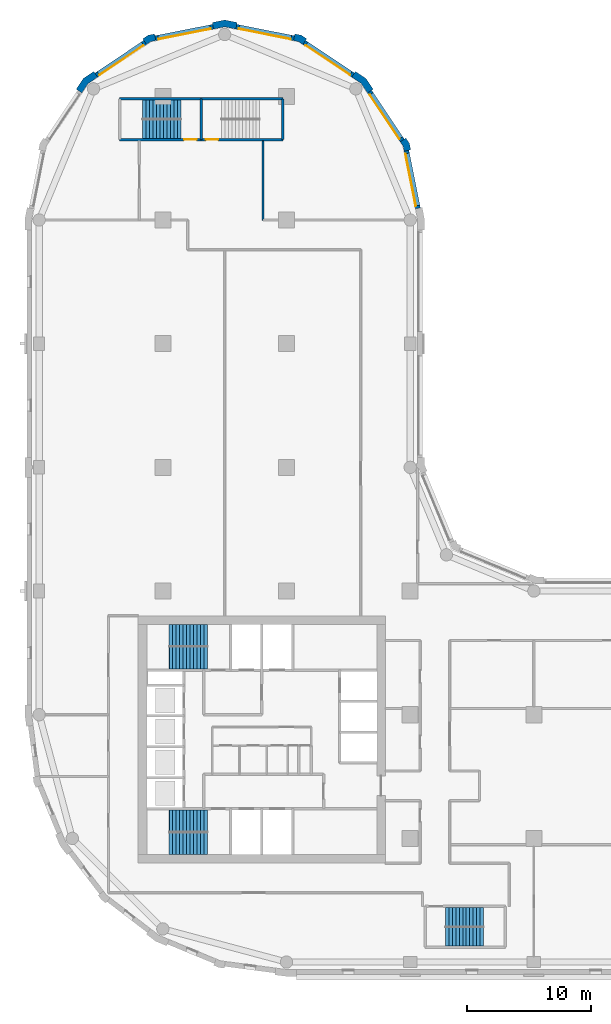
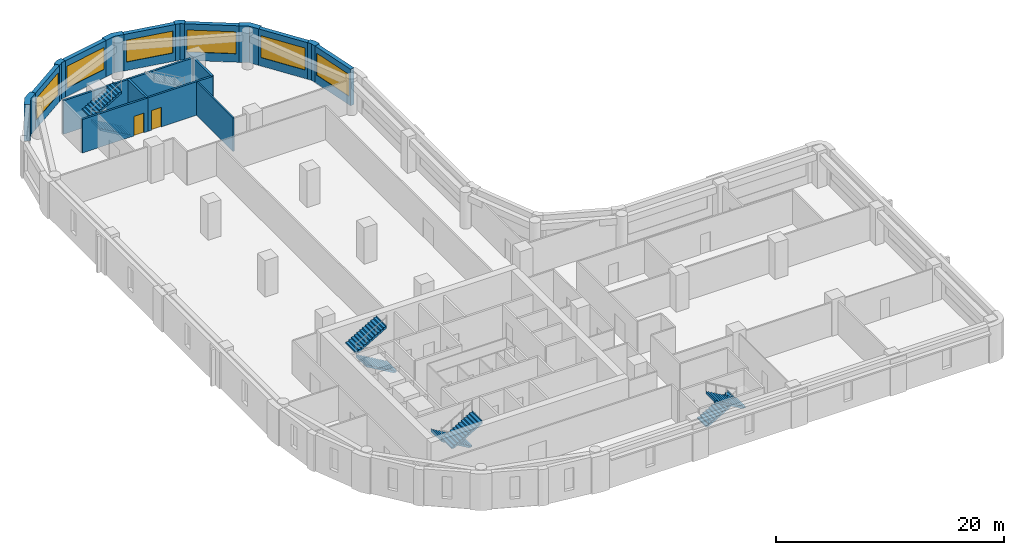
# One storey, part 6 of 9: 19 walls, 8 stair flights, 6 windows, 2 doors, 8 openings, 4 elements without a shape of their own.
"""IFC4 building model written with IfcOpenShell, lengths in metres."""

from ifc_helpers import new_model, si_unit, direction, frame, frame_2d, origin, place, context, subcontext, project, spatial, polyline, rectangle, outline, extrude, material, layer, layer_set, type_object, element, fill, aggregate, save


model = new_model("IFC4")

# Units and contexts
model_context = context("Model", 3, precision=1e-05, world=origin(), true_north=direction((0.0, 1.0)))
body_context = subcontext(model_context, "Body", "Model", "MODEL_VIEW")
ifc_project = project(units=[si_unit("LENGTHUNIT", "METRE"), si_unit("AREAUNIT", "SQUARE_METRE"), si_unit("VOLUMEUNIT", "CUBIC_METRE"), si_unit("PLANEANGLEUNIT", "RADIAN"), si_unit("MASSUNIT", "GRAM", prefix="KILO")], contexts=[model_context])

# Site, building, storey
site_placement = place(None, origin())
site = spatial("IfcSite", under=ifc_project, at=site_placement, CompositionType="ELEMENT")
building_placement = place(site_placement, origin())
building = spatial("IfcBuilding", under=site, at=building_placement, Name="Qaws Garden Tower", CompositionType="ELEMENT")
storey_placement = place(building_placement, frame((0.0, 0.0, 213.60009765625)))
storey = spatial("IfcBuildingStorey", under=building, at=storey_placement, Name="L52", CompositionType="ELEMENT", Elevation=213.60009765625)

# Wall, opening, window
ifc_material_1 = material(Name="Clay facing brick masonry", Category="masonry")
ifc_layer_1 = layer(ifc_material_1, 0.39990234375)
ifc_layer_set_1 = layer_set([ifc_layer_1], Name="Clay facing brick masonry")
wall_type_1 = type_object("IfcWallType", Name="Brick infill wall 400", PredefinedType="SOLIDWALL", material=ifc_layer_set_1)
wall_1_placement = place(storey_placement, frame((30.628662109375, 60.940673828125, 0.0), z_axis=(0.0, 0.0, 1.0), x_axis=(-0.195098533057, 0.98078364709, 0.0)))
wall_1 = element("IfcWall", 1, at=wall_1_placement, inside=storey, type_object=wall_type_1, Name="E-L52-infill-13", PredefinedType="SOLIDWALL", context=body_context, shape_type="SweptSolid", body=[
    extrude(rectangle(XDim=4.752685546875, YDim=0.39990234375, at=frame_2d((2.37646484375, 0.0))), origin(), (0.0, 0.0, 1.0), 3.89990234375),
])
opening_1_placement = place(wall_1_placement, frame((0.226318359375, 0.0, 0.89990234375)))
opening_1 = element("IfcOpeningElement", 2, at=opening_1_placement, cuts=wall_1, Name="Opening W06", PredefinedType="OPENING", context=body_context, shape_type="SweptSolid", body=[
    extrude(rectangle(XDim=4.300048828125, YDim=2.35009765625, at=frame_2d((2.14990234375, 1.175048828125))), frame((0.0, 0.2099609375, 0.0), z_axis=(0.0, -1.0, 0.0), x_axis=(1.0, 0.0, 0.0)), (0.0, 0.0, 1.0), 0.419921875),
])
ifc_material_2 = material(Name="Aluminium framed window, clear glazing", Category="aluminium")
window_type = type_object("IfcWindowType", Name="Ribbon window 4300 x 2350", PartitioningType="DOUBLE_PANEL_VERTICAL", PredefinedType="WINDOW", material=ifc_material_2)
window_1_placement = place(opening_1_placement, origin())
window_1 = element("IfcWindow", 3, at=window_1_placement, inside=storey, type_object=window_type, Name="E-L52-window-13-0", OverallHeight=2.35009765625, OverallWidth=4.300048828125, PartitioningType="SINGLE_PANEL", PredefinedType="WINDOW", context=body_context, shape_type="SweptSolid", body=[
    extrude(rectangle(XDim=4.300048828125, YDim=2.35009765625, at=frame_2d((2.14990234375, 1.175048828125))), frame((0.0, 0.159912109375, 0.0), z_axis=(0.0, -1.0, 0.0), x_axis=(1.0, 0.0, 0.0)), (0.0, 0.0, 1.0), 0.06005859375),
])
fill(opening_1, window_1)

wall_2_placement = place(storey_placement, frame((29.356689453125, 66.43408203125, 0.0), z_axis=(0.0, 0.0, 1.0), x_axis=(-0.555541552266, 0.831488775454, 0.0)))
wall_2 = element("IfcWall", 4, at=wall_2_placement, inside=storey, type_object=wall_type_1, Name="E-L52-infill-14", PredefinedType="SOLIDWALL", context=body_context, shape_type="SweptSolid", body=[
    extrude(rectangle(XDim=4.752685546875, YDim=0.39990234375, at=frame_2d((2.37646484375, 0.0))), origin(), (0.0, 0.0, 1.0), 3.89990234375),
])
opening_2_placement = place(wall_2_placement, frame((0.226318359375, 0.0, 0.89990234375)))
opening_2 = element("IfcOpeningElement", 5, at=opening_2_placement, cuts=wall_2, Name="Opening W06", PredefinedType="OPENING", context=body_context, shape_type="SweptSolid", body=[
    extrude(rectangle(XDim=4.300048828125, YDim=2.35009765625, at=frame_2d((2.14990234375, 1.175048828125))), frame((0.0, 0.2099609375, 0.0), z_axis=(0.0, -1.0, 0.0), x_axis=(1.0, 0.0, 0.0)), (0.0, 0.0, 1.0), 0.419921875),
])
window_2_placement = place(opening_2_placement, origin())
window_2 = element("IfcWindow", 6, at=window_2_placement, inside=storey, type_object=window_type, Name="E-L52-window-14-0", OverallHeight=2.35009765625, OverallWidth=4.300048828125, PartitioningType="SINGLE_PANEL", PredefinedType="WINDOW", context=body_context, shape_type="SweptSolid", body=[
    extrude(rectangle(XDim=4.300048828125, YDim=2.35009765625, at=frame_2d((2.14990234375, 1.175048828125))), frame((0.0, 0.159912109375, 0.0), z_axis=(0.0, -1.0, 0.0), x_axis=(1.0, 0.0, 0.0)), (0.0, 0.0, 1.0), 0.06005859375),
])
fill(opening_2, window_2)

wall_3_placement = place(storey_placement, frame((25.385986328125, 71.71630859375, 0.0), z_axis=(0.0, 0.0, 1.0), x_axis=(-0.831488775454, 0.555541552266, 0.0)))
wall_3 = element("IfcWall", 7, at=wall_3_placement, inside=storey, type_object=wall_type_1, Name="E-L52-infill-15", PredefinedType="SOLIDWALL", context=body_context, shape_type="SweptSolid", body=[
    extrude(rectangle(XDim=4.752685546875, YDim=0.39990234375, at=frame_2d((2.37646484375, 0.0))), origin(), (0.0, 0.0, 1.0), 3.89990234375),
])
opening_3_placement = place(wall_3_placement, frame((0.226318359375, 0.0, 0.89990234375)))
opening_3 = element("IfcOpeningElement", 8, at=opening_3_placement, cuts=wall_3, Name="Opening W06", PredefinedType="OPENING", context=body_context, shape_type="SweptSolid", body=[
    extrude(rectangle(XDim=4.300048828125, YDim=2.35009765625, at=frame_2d((2.14990234375, 1.175048828125))), frame((0.0, 0.2099609375, 0.0), z_axis=(0.0, -1.0, 0.0), x_axis=(1.0, 0.0, 0.0)), (0.0, 0.0, 1.0), 0.419921875),
])
window_3_placement = place(opening_3_placement, origin())
window_3 = element("IfcWindow", 9, at=window_3_placement, inside=storey, type_object=window_type, Name="E-L52-window-15-0", OverallHeight=2.35009765625, OverallWidth=4.300048828125, PartitioningType="SINGLE_PANEL", PredefinedType="WINDOW", context=body_context, shape_type="SweptSolid", body=[
    extrude(rectangle(XDim=4.300048828125, YDim=2.35009765625, at=frame_2d((2.14990234375, 1.175048828125))), frame((0.0, 0.159912109375, 0.0), z_axis=(0.0, -1.0, 0.0), x_axis=(1.0, 0.0, 0.0)), (0.0, 0.0, 1.0), 0.06005859375),
])
fill(opening_3, window_3)

wall_4_placement = place(storey_placement, frame((20.60205078125, 74.701416015625, 0.0), z_axis=(0.0, 0.0, 1.0), x_axis=(-0.98078364709, 0.195098533057, 0.0)))
wall_4 = element("IfcWall", 10, at=wall_4_placement, inside=storey, type_object=wall_type_1, Name="E-L52-infill-16", PredefinedType="SOLIDWALL", context=body_context, shape_type="SweptSolid", body=[
    extrude(rectangle(XDim=4.752685546875, YDim=0.39990234375, at=frame_2d((2.37646484375, 0.0))), origin(), (0.0, 0.0, 1.0), 3.89990234375),
])
opening_4_placement = place(wall_4_placement, frame((0.226318359375, 0.0, 0.89990234375)))
opening_4 = element("IfcOpeningElement", 11, at=opening_4_placement, cuts=wall_4, Name="Opening W06", PredefinedType="OPENING", context=body_context, shape_type="SweptSolid", body=[
    extrude(rectangle(XDim=4.300048828125, YDim=2.35009765625, at=frame_2d((2.14990234375, 1.175048828125))), frame((0.0, 0.2099609375, 0.0), z_axis=(0.0, -1.0, 0.0), x_axis=(1.0, 0.0, 0.0)), (0.0, 0.0, 1.0), 0.419921875),
])
window_4_placement = place(opening_4_placement, origin())
window_4 = element("IfcWindow", 12, at=window_4_placement, inside=storey, type_object=window_type, Name="E-L52-window-16-0", OverallHeight=2.35009765625, OverallWidth=4.300048828125, PartitioningType="SINGLE_PANEL", PredefinedType="WINDOW", context=body_context, shape_type="SweptSolid", body=[
    extrude(rectangle(XDim=4.300048828125, YDim=2.35009765625, at=frame_2d((2.14990234375, 1.175048828125))), frame((0.0, 0.159912109375, 0.0), z_axis=(0.0, -1.0, 0.0), x_axis=(1.0, 0.0, 0.0)), (0.0, 0.0, 1.0), 0.06005859375),
])
fill(opening_4, window_4)

wall_5_placement = place(storey_placement, frame((14.059326171875, 75.628662109375, 0.0), z_axis=(0.0, 0.0, 1.0), x_axis=(-0.98078364709, -0.195098533057, 0.0)))
wall_5 = element("IfcWall", 13, at=wall_5_placement, inside=storey, type_object=wall_type_1, Name="E-L52-infill-17", PredefinedType="SOLIDWALL", context=body_context, shape_type="SweptSolid", body=[
    extrude(rectangle(XDim=4.752685546875, YDim=0.39990234375, at=frame_2d((2.37646484375, 0.0))), origin(), (0.0, 0.0, 1.0), 3.89990234375),
])
opening_5_placement = place(wall_5_placement, frame((0.226318359375, 0.0, 0.89990234375)))
opening_5 = element("IfcOpeningElement", 14, at=opening_5_placement, cuts=wall_5, Name="Opening W06", PredefinedType="OPENING", context=body_context, shape_type="SweptSolid", body=[
    extrude(rectangle(XDim=4.300048828125, YDim=2.35009765625, at=frame_2d((2.14990234375, 1.175048828125))), frame((0.0, 0.2099609375, 0.0), z_axis=(0.0, -1.0, 0.0), x_axis=(1.0, 0.0, 0.0)), (0.0, 0.0, 1.0), 0.419921875),
])
window_5_placement = place(opening_5_placement, origin())
window_5 = element("IfcWindow", 15, at=window_5_placement, inside=storey, type_object=window_type, Name="E-L52-window-17-0", OverallHeight=2.35009765625, OverallWidth=4.300048828125, PartitioningType="SINGLE_PANEL", PredefinedType="WINDOW", context=body_context, shape_type="SweptSolid", body=[
    extrude(rectangle(XDim=4.300048828125, YDim=2.35009765625, at=frame_2d((2.14990234375, 1.175048828125))), frame((0.0, 0.159912109375, 0.0), z_axis=(0.0, -1.0, 0.0), x_axis=(1.0, 0.0, 0.0)), (0.0, 0.0, 1.0), 0.06005859375),
])
fill(opening_5, window_5)

wall_6_placement = place(storey_placement, frame((8.56591796875, 74.356689453125, 0.0), z_axis=(0.0, 0.0, 1.0), x_axis=(-0.831488775454, -0.555541552266, 0.0)))
wall_6 = element("IfcWall", 16, at=wall_6_placement, inside=storey, type_object=wall_type_1, Name="E-L52-infill-18", PredefinedType="SOLIDWALL", context=body_context, shape_type="SweptSolid", body=[
    extrude(rectangle(XDim=4.752685546875, YDim=0.39990234375, at=frame_2d((2.37646484375, 0.0))), origin(), (0.0, 0.0, 1.0), 3.89990234375),
])
opening_6_placement = place(wall_6_placement, frame((0.226318359375, 0.0, 0.89990234375)))
opening_6 = element("IfcOpeningElement", 17, at=opening_6_placement, cuts=wall_6, Name="Opening W06", PredefinedType="OPENING", context=body_context, shape_type="SweptSolid", body=[
    extrude(rectangle(XDim=4.300048828125, YDim=2.35009765625, at=frame_2d((2.14990234375, 1.175048828125))), frame((0.0, 0.2099609375, 0.0), z_axis=(0.0, -1.0, 0.0), x_axis=(1.0, 0.0, 0.0)), (0.0, 0.0, 1.0), 0.419921875),
])
window_6_placement = place(opening_6_placement, origin())
window_6 = element("IfcWindow", 18, at=window_6_placement, inside=storey, type_object=window_type, Name="E-L52-window-18-0", OverallHeight=2.35009765625, OverallWidth=4.300048828125, PartitioningType="SINGLE_PANEL", PredefinedType="WINDOW", context=body_context, shape_type="SweptSolid", body=[
    extrude(rectangle(XDim=4.300048828125, YDim=2.35009765625, at=frame_2d((2.14990234375, 1.175048828125))), frame((0.0, 0.159912109375, 0.0), z_axis=(0.0, -1.0, 0.0), x_axis=(1.0, 0.0, 0.0)), (0.0, 0.0, 1.0), 0.06005859375),
])
fill(opening_6, window_6)

# Walls
ifc_material_3 = material(Name="Clay facing brick masonry", Category="masonry")
ifc_layer_2 = layer(ifc_material_3, 0.550048828125)
ifc_layer_set_2 = layer_set([ifc_layer_2], Name="Clay facing brick masonry")
wall_type_2 = type_object("IfcWallType", Name="Brick kink pier 550 x 600", PredefinedType="SOLIDWALL", material=ifc_layer_set_2)
placement = place(storey_placement, origin())
element("IfcWall", 19, at=placement, inside=storey, type_object=wall_type_2, Name="E-L52-pier-14", PredefinedType="SOLIDWALL", context=body_context, shape_type="SweptSolid", body=[
    extrude(outline(polyline([(29.8974609375, 65.64111328125), (30.044677734375, 65.67041015625), (29.94140625, 66.18896484375), (29.647705078125, 66.628662109375), (29.52294921875, 66.545166015625), (29.1904296875, 66.322998046875), (29.42333984375, 65.974365234375), (29.505126953125, 65.56298828125), (29.8974609375, 65.64111328125)])), origin(), (0.0, 0.0, 1.0), 3.89990234375),
])
element("IfcWall", 20, at=placement, inside=storey, type_object=wall_type_2, Name="E-L52-pier-16", PredefinedType="SOLIDWALL", context=body_context, shape_type="SweptSolid", body=[
    extrude(outline(polyline([(21.545166015625, 74.52294921875), (21.628662109375, 74.647705078125), (21.18896484375, 74.94140625), (20.67041015625, 75.044677734375), (20.64111328125, 74.8974609375), (20.56298828125, 74.505126953125), (20.974365234375, 74.42333984375), (21.322998046875, 74.1904296875), (21.545166015625, 74.52294921875)])), origin(), (0.0, 0.0, 1.0), 3.89990234375),
])
element("IfcWall", 21, at=placement, inside=storey, type_object=wall_type_2, Name="E-L52-pier-18", PredefinedType="SOLIDWALL", context=body_context, shape_type="SweptSolid", body=[
    extrude(outline(polyline([(9.35888671875, 74.8974609375), (9.32958984375, 75.044677734375), (8.81103515625, 74.94140625), (8.371337890625, 74.647705078125), (8.454833984375, 74.52294921875), (8.677001953125, 74.1904296875), (9.025634765625, 74.42333984375), (9.43701171875, 74.505126953125), (9.35888671875, 74.8974609375)])), origin(), (0.0, 0.0, 1.0), 3.89990234375),
])
ifc_material_4 = material(Name="Clay facing brick masonry", Category="masonry")
ifc_layer_3 = layer(ifc_material_4, 0.550048828125)
ifc_layer_set_3 = layer_set([ifc_layer_3], Name="Clay facing brick masonry")
wall_type_3 = type_object("IfcWallType", Name="Brick pier 550 x 1600", PredefinedType="SOLIDWALL", material=ifc_layer_set_3)
element("IfcWall", 22, at=placement, inside=storey, type_object=wall_type_3, Name="E-L52-pier-15", PredefinedType="SOLIDWALL", context=body_context, shape_type="SweptSolid", body=[
    extrude(outline(polyline([(26.882568359375, 70.4970703125), (27.00732421875, 70.580322265625), (26.435791015625, 71.435791015625), (25.580322265625, 72.00732421875), (25.4970703125, 71.882568359375), (25.274658203125, 71.550048828125), (26.0390625, 71.0390625), (26.550048828125, 70.274658203125), (26.882568359375, 70.4970703125)])), origin(), (0.0, 0.0, 1.0), 3.89990234375),
])
element("IfcWall", 23, at=placement, inside=storey, type_object=wall_type_3, Name="E-L52-pier-17", PredefinedType="SOLIDWALL", context=body_context, shape_type="SweptSolid", body=[
    extrude(outline(polyline([(15.979736328125, 75.82470703125), (16.009033203125, 75.971923828125), (15.0, 76.172607421875), (13.990966796875, 75.971923828125), (14.020263671875, 75.82470703125), (14.098388671875, 75.432373046875), (15.0, 75.61181640625), (15.901611328125, 75.432373046875), (15.979736328125, 75.82470703125)])), origin(), (0.0, 0.0, 1.0), 3.89990234375),
])
element("IfcWall", 24, at=placement, inside=storey, type_object=wall_type_3, Name="E-L52-pier-19", PredefinedType="SOLIDWALL", context=body_context, shape_type="SweptSolid", body=[
    extrude(outline(polyline([(4.5029296875, 71.882568359375), (4.419677734375, 72.00732421875), (3.564208984375, 71.435791015625), (2.99267578125, 70.580322265625), (3.117431640625, 70.4970703125), (3.449951171875, 70.274658203125), (3.9609375, 71.0390625), (4.725341796875, 71.550048828125), (4.5029296875, 71.882568359375)])), origin(), (0.0, 0.0, 1.0), 3.89990234375),
])

# Wall, opening, door
ifc_material_5 = material(Name="Concrete C70", Category="concrete")
ifc_layer_4 = layer(ifc_material_5, 0.199951171875)
ifc_layer_set_4 = layer_set([ifc_layer_4], Name="Concrete C70")
wall_type_4 = type_object("IfcWallType", Name="Core shaft wall 200 C70", PredefinedType="SHEAR", material=ifc_layer_set_4)
wall_13_placement = place(storey_placement, frame((6.5, 66.5, 0.0), z_axis=(0.0, 0.0, 1.0), x_axis=(1.0, 0.0, 0.0)))
wall_13 = element("IfcWall", 25, at=wall_13_placement, inside=storey, type_object=wall_type_4, Name="Shaft wall", PredefinedType="SHEAR", context=body_context, shape_type="SweptSolid", body=[
    extrude(rectangle(XDim=6.60009765625, YDim=0.199951171875, at=frame_2d((3.300048828125, 0.0))), origin(), (0.0, 0.0, 1.0), 3.579833984375),
])
opening_7_placement = place(wall_13_placement, frame((5.22509765625, 0.0, 0.0)))
opening_7 = element("IfcOpeningElement", 26, at=opening_7_placement, cuts=wall_13, Name="Opening SD13", PredefinedType="OPENING", context=body_context, shape_type="SweptSolid", body=[
    extrude(rectangle(XDim=1.0, YDim=2.10009765625, at=frame_2d((0.5, 1.050048828125))), frame((0.0, 0.10986328125, 0.0), z_axis=(0.0, -1.0, 0.0), x_axis=(1.0, 0.0, 0.0)), (0.0, 0.0, 1.0), 0.219970703125),
])
ifc_material_6 = material(Name="Steel S235", Category="steel")
door_type = type_object("IfcDoorType", Name="Stair door 1000x2100", OperationType="SINGLE_SWING_RIGHT", PredefinedType="DOOR", material=ifc_material_6)
door_1_placement = place(opening_7_placement, origin())
door_1 = element("IfcDoor", 27, at=door_1_placement, inside=storey, type_object=door_type, Name="Stair 6 door", OperationType="SINGLE_SWING_RIGHT", OverallHeight=2.10009765625, OverallWidth=1.0, PredefinedType="DOOR", context=body_context, shape_type="SweptSolid", body=[
    extrude(rectangle(XDim=1.0, YDim=2.10009765625, at=frame_2d((0.5, 1.050048828125))), frame((0.0, 0.02490234375, 0.0), z_axis=(0.0, -1.0, 0.0), x_axis=(1.0, 0.0, 0.0)), (0.0, 0.0, 1.0), 0.050048828125),
])
fill(opening_7, door_1)

wall_14_placement = place(storey_placement, frame((13.10009765625, 66.5, 0.0), z_axis=(0.0, 0.0, 1.0), x_axis=(1.0, 0.0, 0.0)))
wall_14 = element("IfcWall", 28, at=wall_14_placement, inside=storey, type_object=wall_type_4, Name="Shaft wall", PredefinedType="SHEAR", context=body_context, shape_type="SweptSolid", body=[
    extrude(rectangle(XDim=6.599853515625, YDim=0.199951171875, at=frame_2d((3.2998046875, 0.0))), origin(), (0.0, 0.0, 1.0), 3.579833984375),
])
opening_8_placement = place(wall_14_placement, frame((0.375, 0.0, 0.0)))
opening_8 = element("IfcOpeningElement", 29, at=opening_8_placement, cuts=wall_14, Name="Opening SD14", PredefinedType="OPENING", context=body_context, shape_type="SweptSolid", body=[
    extrude(rectangle(XDim=1.0, YDim=2.10009765625, at=frame_2d((0.5, 1.050048828125))), frame((0.0, 0.10986328125, 0.0), z_axis=(0.0, -1.0, 0.0), x_axis=(1.0, 0.0, 0.0)), (0.0, 0.0, 1.0), 0.219970703125),
])
door_2_placement = place(opening_8_placement, origin())
door_2 = element("IfcDoor", 30, at=door_2_placement, inside=storey, type_object=door_type, Name="Stair 7 door", OperationType="SINGLE_SWING_LEFT", OverallHeight=2.10009765625, OverallWidth=1.0, PredefinedType="DOOR", context=body_context, shape_type="SweptSolid", body=[
    extrude(rectangle(XDim=1.0, YDim=2.10009765625, at=frame_2d((0.5, 1.050048828125))), frame((0.0, 0.02490234375, 0.0), z_axis=(0.0, -1.0, 0.0), x_axis=(1.0, 0.0, 0.0)), (0.0, 0.0, 1.0), 0.050048828125),
])
fill(opening_8, door_2)

# Walls
wall_15_placement = place(storey_placement, frame((6.5, 69.800048828125, 0.0), z_axis=(0.0, 0.0, 1.0), x_axis=(1.0, 0.0, 0.0)))
element("IfcWall", 31, at=wall_15_placement, inside=storey, type_object=wall_type_4, Name="Shaft wall", PredefinedType="SHEAR", context=body_context, shape_type="SweptSolid", body=[
    extrude(rectangle(XDim=6.60009765625, YDim=0.199951171875, at=frame_2d((3.300048828125, 0.0))), origin(), (0.0, 0.0, 1.0), 3.579833984375),
])
wall_16_placement = place(storey_placement, frame((13.10009765625, 69.800048828125, 0.0), z_axis=(0.0, 0.0, 1.0), x_axis=(1.0, 0.0, 0.0)))
element("IfcWall", 32, at=wall_16_placement, inside=storey, type_object=wall_type_4, Name="Shaft wall", PredefinedType="SHEAR", context=body_context, shape_type="SweptSolid", body=[
    extrude(rectangle(XDim=6.599853515625, YDim=0.199951171875, at=frame_2d((3.2998046875, 0.0))), origin(), (0.0, 0.0, 1.0), 3.579833984375),
])
for number, where, z_axis, x_axis, name in (
    (33, (13.10009765625, 66.5, 0.0), (0.0, 0.0, 1.0), (0.0, 1.0, 0.0), "Shaft wall"),
    (34, (19.699951171875, 66.5, 0.0), (0.0, 0.0, 1.0), (0.0, 1.0, 0.0), "Shaft wall"),
):
    element("IfcWall", number, at=place(storey_placement, frame(where, z_axis=z_axis, x_axis=x_axis)), inside=storey, type_object=wall_type_4, Name=name, PredefinedType="SHEAR", context=body_context, shape_type="SweptSolid", body=[
        extrude(rectangle(XDim=3.300048828125, YDim=0.199951171875, at=frame_2d((1.64990234375, 0.0))), origin(), (0.0, 0.0, 1.0), 3.579833984375),
    ])
ifc_material_7 = material(Name="Gypsum board partition")
ifc_layer_5 = layer(ifc_material_7, 0.14990234375)
ifc_layer_set_5 = layer_set([ifc_layer_5], Name="Gypsum board partition")
wall_type_5 = type_object("IfcWallType", Name="PARTITION 150 EI 60", PredefinedType="PARTITIONING", material=ifc_layer_set_5)
wall_17_placement = place(storey_placement, frame((18.10009765625, 60.0, 0.0), z_axis=(0.0, 0.0, 1.0), x_axis=(0.0, 1.0, 0.0)))
element("IfcWall", 35, at=wall_17_placement, inside=storey, type_object=wall_type_5, Name="O-L52-wall-007", PredefinedType="PARTITIONING", context=body_context, shape_type="SweptSolid", body=[
    extrude(rectangle(XDim=6.39990234375, YDim=0.14990234375, at=frame_2d((3.199951171875, 0.0))), origin(), (0.0, 0.0, 1.0), 3.579833984375),
])

# Stair, stair flights
ifc_material_8 = material(Name="Concrete C40", Category="concrete")
stair_type_1 = type_object("IfcStairType", Name="Exit stair 1350", PredefinedType="HALF_TURN_STAIR", material=ifc_material_8)
stair_1 = element("IfcStair", 36, at=placement, inside=storey, type_object=stair_type_1, Name="Stair 5", PredefinedType="HALF_TURN_STAIR")
ifc_material_9 = material(Name="Concrete C40", Category="concrete")
stair_flight_type_1 = type_object("IfcStairFlightType", Name="Stair flight 1350", PredefinedType="STRAIGHT", material=ifc_material_9)
stair_flight_1_placement = place(storey_placement, frame((32.85009765625, 3.625, 0.0), z_axis=(0.0, 0.0, 1.0), x_axis=(1.0, 0.0, 0.0)))
stair_flight_1 = element("IfcStairFlight", 37, at=stair_flight_1_placement, type_object=stair_flight_type_1, Name="ST5 flight 1", NumberOfRisers=12, NumberOfTreads=11, PredefinedType="STRAIGHT", RiserHeight=0.1625, TreadLength=0.28, context=body_context, shape_type="SweptSolid", body=[
    extrude(outline(polyline([(-0.0029296875, 0.0), (-0.0029296875, 0.16259765625), (0.0, 0.16259765625), (0.280029296875, 0.16259765625), (0.280029296875, 0.324951171875), (0.56005859375, 0.324951171875), (0.56005859375, 0.487548828125), (0.840087890625, 0.487548828125), (0.840087890625, 0.64990234375), (1.1201171875, 0.64990234375), (1.1201171875, 0.8125), (1.39990234375, 0.8125), (1.39990234375, 0.97509765625), (1.679931640625, 0.97509765625), (1.679931640625, 1.137451171875), (1.9599609375, 1.137451171875), (1.9599609375, 1.300048828125), (2.239990234375, 1.300048828125), (2.239990234375, 1.46240234375), (2.52001953125, 1.46240234375), (2.52001953125, 1.625), (2.800048828125, 1.625), (2.800048828125, 1.78759765625), (3.080078125, 1.78759765625), (3.080078125, 1.949951171875), (3.0830078125, 1.949951171875), (3.0830078125, 1.6142578125), (3.080078125, 1.6142578125), (0.298583984375, 0.0), (-0.0029296875, 0.0)])), frame((0.0, 0.77490234375, 0.0), z_axis=(0.0, -1.0, 0.0), x_axis=(1.0, 0.0, 0.0)), (0.0, 0.0, 1.0), 1.550048828125),
])
stair_flight_2_placement = place(storey_placement, frame((35.929931640625, 2.074951171875, 1.949951171875), z_axis=(0.0, 0.0, 1.0), x_axis=(-1.0, 0.0, 0.0)))
stair_flight_2 = element("IfcStairFlight", 38, at=stair_flight_2_placement, type_object=stair_flight_type_1, Name="ST5 flight 2", NumberOfRisers=12, NumberOfTreads=11, PredefinedType="STRAIGHT", RiserHeight=0.1625, TreadLength=0.28, context=body_context, shape_type="SweptSolid", body=[
    extrude(outline(polyline([(-0.0029296875, 0.0), (-0.0029296875, 0.16259765625), (0.0, 0.16259765625), (0.280029296875, 0.16259765625), (0.280029296875, 0.324951171875), (0.56005859375, 0.324951171875), (0.56005859375, 0.487548828125), (0.840087890625, 0.487548828125), (0.840087890625, 0.64990234375), (1.1201171875, 0.64990234375), (1.1201171875, 0.8125), (1.39990234375, 0.8125), (1.39990234375, 0.97509765625), (1.679931640625, 0.97509765625), (1.679931640625, 1.137451171875), (1.9599609375, 1.137451171875), (1.9599609375, 1.300048828125), (2.239990234375, 1.300048828125), (2.239990234375, 1.46240234375), (2.52001953125, 1.46240234375), (2.52001953125, 1.625), (2.800048828125, 1.625), (2.800048828125, 1.78759765625), (3.080078125, 1.78759765625), (3.080078125, 1.949951171875), (3.0830078125, 1.949951171875), (3.0830078125, 1.6142578125), (3.080078125, 1.6142578125), (0.298583984375, 0.0), (-0.0029296875, 0.0)])), frame((0.0, 0.77490234375, 0.0), z_axis=(0.0, -1.0, 0.0), x_axis=(1.0, 0.0, 0.0)), (0.0, 0.0, 1.0), 1.550048828125),
])
aggregate(stair_1, [stair_flight_1, stair_flight_2])

stair_2 = element("IfcStair", 39, at=placement, inside=storey, type_object=stair_type_1, Name="Stair 6", PredefinedType="HALF_TURN_STAIR")
stair_flight_3_placement = place(storey_placement, frame((11.449951171875, 67.375, 0.0), z_axis=(0.0, 0.0, 1.0), x_axis=(-1.0, 0.0, 0.0)))
stair_flight_3 = element("IfcStairFlight", 40, at=stair_flight_3_placement, type_object=stair_flight_type_1, Name="ST6 flight 1", NumberOfRisers=12, NumberOfTreads=11, PredefinedType="STRAIGHT", RiserHeight=0.1625, TreadLength=0.28, context=body_context, shape_type="SweptSolid", body=[
    extrude(outline(polyline([(-0.0029296875, 0.0), (-0.0029296875, 0.16259765625), (0.0, 0.16259765625), (0.280029296875, 0.16259765625), (0.280029296875, 0.324951171875), (0.56005859375, 0.324951171875), (0.56005859375, 0.487548828125), (0.840087890625, 0.487548828125), (0.840087890625, 0.64990234375), (1.1201171875, 0.64990234375), (1.1201171875, 0.8125), (1.39990234375, 0.8125), (1.39990234375, 0.97509765625), (1.679931640625, 0.97509765625), (1.679931640625, 1.137451171875), (1.9599609375, 1.137451171875), (1.9599609375, 1.300048828125), (2.239990234375, 1.300048828125), (2.239990234375, 1.46240234375), (2.52001953125, 1.46240234375), (2.52001953125, 1.625), (2.800048828125, 1.625), (2.800048828125, 1.78759765625), (3.080078125, 1.78759765625), (3.080078125, 1.949951171875), (3.0830078125, 1.949951171875), (3.0830078125, 1.6142578125), (3.080078125, 1.6142578125), (0.298583984375, 0.0), (-0.0029296875, 0.0)])), frame((0.0, 0.77490234375, 0.0), z_axis=(0.0, -1.0, 0.0), x_axis=(1.0, 0.0, 0.0)), (0.0, 0.0, 1.0), 1.550048828125),
])
stair_flight_4_placement = place(storey_placement, frame((8.3701171875, 68.925048828125, 1.949951171875), z_axis=(0.0, 0.0, 1.0), x_axis=(1.0, 0.0, 0.0)))
stair_flight_4 = element("IfcStairFlight", 41, at=stair_flight_4_placement, type_object=stair_flight_type_1, Name="ST6 flight 2", NumberOfRisers=12, NumberOfTreads=11, PredefinedType="STRAIGHT", RiserHeight=0.1625, TreadLength=0.28, context=body_context, shape_type="SweptSolid", body=[
    extrude(outline(polyline([(-0.0029296875, 0.0), (-0.0029296875, 0.16259765625), (0.0, 0.16259765625), (0.280029296875, 0.16259765625), (0.280029296875, 0.324951171875), (0.56005859375, 0.324951171875), (0.56005859375, 0.487548828125), (0.840087890625, 0.487548828125), (0.840087890625, 0.64990234375), (1.1201171875, 0.64990234375), (1.1201171875, 0.8125), (1.39990234375, 0.8125), (1.39990234375, 0.97509765625), (1.679931640625, 0.97509765625), (1.679931640625, 1.137451171875), (1.9599609375, 1.137451171875), (1.9599609375, 1.300048828125), (2.239990234375, 1.300048828125), (2.239990234375, 1.46240234375), (2.52001953125, 1.46240234375), (2.52001953125, 1.625), (2.800048828125, 1.625), (2.800048828125, 1.78759765625), (3.080078125, 1.78759765625), (3.080078125, 1.949951171875), (3.0830078125, 1.949951171875), (3.0830078125, 1.6142578125), (3.080078125, 1.6142578125), (0.298583984375, 0.0), (-0.0029296875, 0.0)])), frame((0.0, 0.77490234375, 0.0), z_axis=(0.0, -1.0, 0.0), x_axis=(1.0, 0.0, 0.0)), (0.0, 0.0, 1.0), 1.550048828125),
])
aggregate(stair_2, [stair_flight_3, stair_flight_4])

ifc_material_10 = material(Name="Concrete C40", Category="concrete")
stair_type_2 = type_object("IfcStairType", Name="Exit stair 1500", PredefinedType="HALF_TURN_STAIR", material=ifc_material_10)
stair_3 = element("IfcStair", 42, at=placement, inside=storey, type_object=stair_type_2, Name="Stair 1", PredefinedType="HALF_TURN_STAIR")
ifc_material_11 = material(Name="Concrete C40", Category="concrete")
stair_flight_type_2 = type_object("IfcStairFlightType", Name="Stair flight 1500", PredefinedType="STRAIGHT", material=ifc_material_11)
stair_flight_5_placement = place(storey_placement, frame((13.60009765625, 11.39990234375, 0.0), z_axis=(0.0, 0.0, 1.0), x_axis=(-1.0, 0.0, 0.0)))
stair_flight_5 = element("IfcStairFlight", 43, at=stair_flight_5_placement, type_object=stair_flight_type_2, Name="ST1 flight 1", NumberOfRisers=12, NumberOfTreads=11, PredefinedType="STRAIGHT", RiserHeight=0.1625, TreadLength=0.28, context=body_context, shape_type="SweptSolid", body=[
    extrude(outline(polyline([(-0.0029296875, 0.0), (-0.0029296875, 0.16259765625), (0.0, 0.16259765625), (0.280029296875, 0.16259765625), (0.280029296875, 0.324951171875), (0.56005859375, 0.324951171875), (0.56005859375, 0.487548828125), (0.840087890625, 0.487548828125), (0.840087890625, 0.64990234375), (1.1201171875, 0.64990234375), (1.1201171875, 0.8125), (1.39990234375, 0.8125), (1.39990234375, 0.97509765625), (1.679931640625, 0.97509765625), (1.679931640625, 1.137451171875), (1.9599609375, 1.137451171875), (1.9599609375, 1.300048828125), (2.239990234375, 1.300048828125), (2.239990234375, 1.46240234375), (2.52001953125, 1.46240234375), (2.52001953125, 1.625), (2.800048828125, 1.625), (2.800048828125, 1.78759765625), (3.080078125, 1.78759765625), (3.080078125, 1.949951171875), (3.0830078125, 1.949951171875), (3.0830078125, 1.6142578125), (3.080078125, 1.6142578125), (0.298583984375, 0.0), (-0.0029296875, 0.0)])), frame((0.0, 0.89990234375, 0.0), z_axis=(0.0, -1.0, 0.0), x_axis=(1.0, 0.0, 0.0)), (0.0, 0.0, 1.0), 1.800048828125),
])
stair_flight_6_placement = place(storey_placement, frame((10.52001953125, 9.60009765625, 1.949951171875), z_axis=(0.0, 0.0, 1.0), x_axis=(1.0, 0.0, 0.0)))
stair_flight_6 = element("IfcStairFlight", 44, at=stair_flight_6_placement, type_object=stair_flight_type_2, Name="ST1 flight 2", NumberOfRisers=12, NumberOfTreads=11, PredefinedType="STRAIGHT", RiserHeight=0.1625, TreadLength=0.28, context=body_context, shape_type="SweptSolid", body=[
    extrude(outline(polyline([(-0.0029296875, 0.0), (-0.0029296875, 0.16259765625), (0.0, 0.16259765625), (0.280029296875, 0.16259765625), (0.280029296875, 0.324951171875), (0.56005859375, 0.324951171875), (0.56005859375, 0.487548828125), (0.840087890625, 0.487548828125), (0.840087890625, 0.64990234375), (1.1201171875, 0.64990234375), (1.1201171875, 0.8125), (1.39990234375, 0.8125), (1.39990234375, 0.97509765625), (1.679931640625, 0.97509765625), (1.679931640625, 1.137451171875), (1.9599609375, 1.137451171875), (1.9599609375, 1.300048828125), (2.239990234375, 1.300048828125), (2.239990234375, 1.46240234375), (2.52001953125, 1.46240234375), (2.52001953125, 1.625), (2.800048828125, 1.625), (2.800048828125, 1.78759765625), (3.080078125, 1.78759765625), (3.080078125, 1.949951171875), (3.0830078125, 1.949951171875), (3.0830078125, 1.6142578125), (3.080078125, 1.6142578125), (0.298583984375, 0.0), (-0.0029296875, 0.0)])), frame((0.0, 0.89990234375, 0.0), z_axis=(0.0, -1.0, 0.0), x_axis=(1.0, 0.0, 0.0)), (0.0, 0.0, 1.0), 1.800048828125),
])
aggregate(stair_3, [stair_flight_5, stair_flight_6])

stair_4 = element("IfcStair", 45, at=placement, inside=storey, type_object=stair_type_2, Name="Stair 4", PredefinedType="HALF_TURN_STAIR")
stair_flight_7_placement = place(storey_placement, frame((13.60009765625, 24.60009765625, 0.0), z_axis=(0.0, 0.0, 1.0), x_axis=(-1.0, 0.0, 0.0)))
stair_flight_7 = element("IfcStairFlight", 46, at=stair_flight_7_placement, type_object=stair_flight_type_2, Name="ST4 flight 1", NumberOfRisers=12, NumberOfTreads=11, PredefinedType="STRAIGHT", RiserHeight=0.1625, TreadLength=0.28, context=body_context, shape_type="SweptSolid", body=[
    extrude(outline(polyline([(-0.0029296875, 0.0), (-0.0029296875, 0.16259765625), (0.0, 0.16259765625), (0.280029296875, 0.16259765625), (0.280029296875, 0.324951171875), (0.56005859375, 0.324951171875), (0.56005859375, 0.487548828125), (0.840087890625, 0.487548828125), (0.840087890625, 0.64990234375), (1.1201171875, 0.64990234375), (1.1201171875, 0.8125), (1.39990234375, 0.8125), (1.39990234375, 0.97509765625), (1.679931640625, 0.97509765625), (1.679931640625, 1.137451171875), (1.9599609375, 1.137451171875), (1.9599609375, 1.300048828125), (2.239990234375, 1.300048828125), (2.239990234375, 1.46240234375), (2.52001953125, 1.46240234375), (2.52001953125, 1.625), (2.800048828125, 1.625), (2.800048828125, 1.78759765625), (3.080078125, 1.78759765625), (3.080078125, 1.949951171875), (3.0830078125, 1.949951171875), (3.0830078125, 1.6142578125), (3.080078125, 1.6142578125), (0.298583984375, 0.0), (-0.0029296875, 0.0)])), frame((0.0, 0.89501953125, 0.0), z_axis=(0.0, -1.0, 0.0), x_axis=(1.0, 0.0, 0.0)), (0.0, 0.0, 1.0), 1.7900390625),
])
stair_flight_8_placement = place(storey_placement, frame((10.52001953125, 26.39990234375, 1.949951171875), z_axis=(0.0, 0.0, 1.0), x_axis=(1.0, 0.0, 0.0)))
stair_flight_8 = element("IfcStairFlight", 47, at=stair_flight_8_placement, type_object=stair_flight_type_2, Name="ST4 flight 2", NumberOfRisers=12, NumberOfTreads=11, PredefinedType="STRAIGHT", RiserHeight=0.1625, TreadLength=0.28, context=body_context, shape_type="SweptSolid", body=[
    extrude(outline(polyline([(-0.0029296875, 0.0), (-0.0029296875, 0.16259765625), (0.0, 0.16259765625), (0.280029296875, 0.16259765625), (0.280029296875, 0.324951171875), (0.56005859375, 0.324951171875), (0.56005859375, 0.487548828125), (0.840087890625, 0.487548828125), (0.840087890625, 0.64990234375), (1.1201171875, 0.64990234375), (1.1201171875, 0.8125), (1.39990234375, 0.8125), (1.39990234375, 0.97509765625), (1.679931640625, 0.97509765625), (1.679931640625, 1.137451171875), (1.9599609375, 1.137451171875), (1.9599609375, 1.300048828125), (2.239990234375, 1.300048828125), (2.239990234375, 1.46240234375), (2.52001953125, 1.46240234375), (2.52001953125, 1.625), (2.800048828125, 1.625), (2.800048828125, 1.78759765625), (3.080078125, 1.78759765625), (3.080078125, 1.949951171875), (3.0830078125, 1.949951171875), (3.0830078125, 1.6142578125), (3.080078125, 1.6142578125), (0.298583984375, 0.0), (-0.0029296875, 0.0)])), frame((0.0, 0.89501953125, 0.0), z_axis=(0.0, -1.0, 0.0), x_axis=(1.0, 0.0, 0.0)), (0.0, 0.0, 1.0), 1.7900390625),
])
aggregate(stair_4, [stair_flight_7, stair_flight_8])

save(model, "model.ifc")
